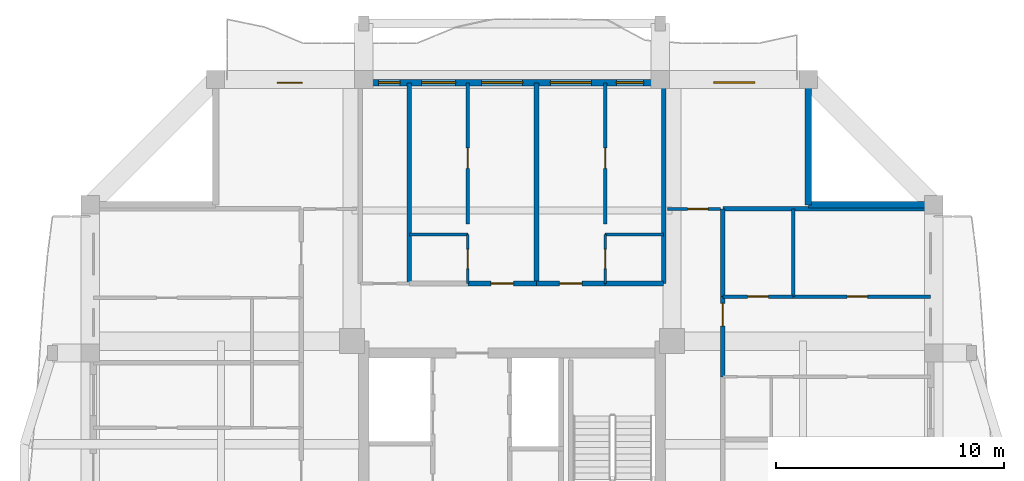
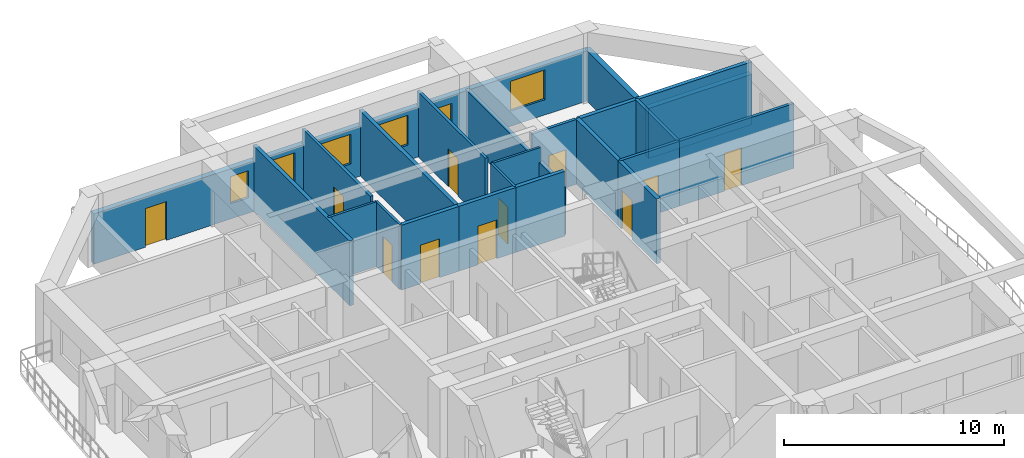
# One storey, part 7 of 14: 22 walls, 11 doors, 6 windows, 17 openings.
"""IFC4 building model written with IfcOpenShell, lengths in metres."""

from ifc_helpers import new_model, si_unit, direction, frame, frame_2d, origin, place, context, subcontext, project, spatial, rectangle, extrude, source, transform, mapped, material, layer, layer_set, type_object, element, fill, save


model = new_model("IFC4")

# Units and contexts
model_context = context("Model", 3, precision=1e-05, world=origin(), true_north=direction((0.0, 1.0)))
body_context = subcontext(model_context, "Body", "Model", "MODEL_VIEW")
ifc_project = project(units=[si_unit("LENGTHUNIT", "METRE"), si_unit("AREAUNIT", "SQUARE_METRE"), si_unit("VOLUMEUNIT", "CUBIC_METRE"), si_unit("PLANEANGLEUNIT", "RADIAN"), si_unit("MASSUNIT", "GRAM", prefix="KILO")], contexts=[model_context])

# Site, building, storey
site_placement = place(None, origin())
site = spatial("IfcSite", under=ifc_project, at=site_placement, CompositionType="ELEMENT")
building_placement = place(site_placement, origin())
building = spatial("IfcBuilding", under=site, at=building_placement, Name="Saelheon Loggia Tower", CompositionType="ELEMENT")
storey_placement = place(building_placement, frame((0.0, 0.0, 202.60009765625)))
storey = spatial("IfcBuildingStorey", under=building, at=storey_placement, Name="L63", CompositionType="ELEMENT", Elevation=202.60009765625)

# Wall, openings, windows, door
ifc_material_1 = material(Name="Architectural Precast Concrete C40/50", Category="concrete")
ifc_layer_1 = layer(ifc_material_1, 0.280029296875)
ifc_layer_set_1 = layer_set([ifc_layer_1], Name="Architectural Precast Concrete C40/50")
wall_type_1 = type_object("IfcWallType", Name="Wall_Ext_Loggia_280", PredefinedType="SOLIDWALL", material=ifc_layer_set_1)
wall_1_placement = place(storey_placement, frame((25.0, 47.860107421875, 0.0), z_axis=(0.0, 0.0, 1.0), x_axis=(1.0, 0.0, 0.0)))
wall_1 = element("IfcWall", 1, at=wall_1_placement, inside=storey, type_object=wall_type_1, Name="L63 North Loggia Inner Wall", PredefinedType="SOLIDWALL", context=body_context, shape_type="SweptSolid", body=[
    extrude(rectangle(XDim=26.0, YDim=0.280029296875, at=frame_2d((13.0, 0.0))), origin(), (0.0, 0.0, 1.0), 2.789794921875),
])
opening_1_placement = place(wall_1_placement, frame((2.699951171875, 0.0, 0.0)))
opening_1 = element("IfcOpeningElement", 2, at=opening_1_placement, cuts=wall_1, Name="Opening TD1", PredefinedType="OPENING", context=body_context, shape_type="SweptSolid", body=[
    extrude(rectangle(XDim=1.10009765625, YDim=2.14990234375, at=frame_2d((0.550048828125, 1.074951171875))), frame((0.0, 0.152099609375, 0.0), z_axis=(0.0, -1.0, 0.0), x_axis=(1.0, 0.0, 0.0)), (0.0, 0.0, 1.0), 0.303955078125),
])
opening_2_placement = place(wall_1_placement, frame((7.14501953125, 0.0, 0.85009765625)))
opening_2 = element("IfcOpeningElement", 3, at=opening_2_placement, cuts=wall_1, Name="Opening WN-04", PredefinedType="OPENING", context=body_context, shape_type="SweptSolid", body=[
    extrude(rectangle(XDim=0.949951171875, YDim=1.5, at=frame_2d((0.47509765625, 0.75))), frame((0.0, 0.152099609375, 0.0), z_axis=(0.0, -1.0, 0.0), x_axis=(1.0, 0.0, 0.0)), (0.0, 0.0, 1.0), 0.303955078125),
])
opening_3_placement = place(wall_1_placement, frame((9.0322265625, 0.0, 0.85009765625)))
opening_3 = element("IfcOpeningElement", 4, at=opening_3_placement, cuts=wall_1, Name="Opening WN-02", PredefinedType="OPENING", context=body_context, shape_type="SweptSolid", body=[
    extrude(rectangle(XDim=1.5, YDim=1.64990234375, at=frame_2d((0.75, 0.824951171875))), frame((0.0, 0.152099609375, 0.0), z_axis=(0.0, -1.0, 0.0), x_axis=(1.0, 0.0, 0.0)), (0.0, 0.0, 1.0), 0.303955078125),
])
opening_4_placement = place(wall_1_placement, frame((11.669921875, 0.0, 0.85009765625)))
opening_4 = element("IfcOpeningElement", 5, at=opening_4_placement, cuts=wall_1, Name="Opening WN-01", PredefinedType="OPENING", context=body_context, shape_type="SweptSolid", body=[
    extrude(rectangle(XDim=1.800048828125, YDim=1.64990234375, at=frame_2d((0.89990234375, 0.824951171875))), frame((0.0, 0.152099609375, 0.0), z_axis=(0.0, -1.0, 0.0), x_axis=(1.0, 0.0, 0.0)), (0.0, 0.0, 1.0), 0.303955078125),
])
opening_5_placement = place(wall_1_placement, frame((14.680419921875, 0.0, 0.85009765625)))
opening_5 = element("IfcOpeningElement", 6, at=opening_5_placement, cuts=wall_1, Name="Opening WN-01", PredefinedType="OPENING", context=body_context, shape_type="SweptSolid", body=[
    extrude(rectangle(XDim=1.800048828125, YDim=1.64990234375, at=frame_2d((0.89990234375, 0.824951171875))), frame((0.0, 0.152099609375, 0.0), z_axis=(0.0, -1.0, 0.0), x_axis=(1.0, 0.0, 0.0)), (0.0, 0.0, 1.0), 0.303955078125),
])
opening_6_placement = place(wall_1_placement, frame((17.57275390625, 0.0, 0.85009765625)))
opening_6 = element("IfcOpeningElement", 7, at=opening_6_placement, cuts=wall_1, Name="Opening WN-03", PredefinedType="OPENING", context=body_context, shape_type="SweptSolid", body=[
    extrude(rectangle(XDim=1.199951171875, YDim=1.5, at=frame_2d((0.60009765625, 0.75))), frame((0.0, 0.152099609375, 0.0), z_axis=(0.0, -1.0, 0.0), x_axis=(1.0, 0.0, 0.0)), (0.0, 0.0, 1.0), 0.303955078125),
])
opening_7_placement = place(wall_1_placement, frame((21.85009765625, 0.0, 0.85009765625)))
opening_7 = element("IfcOpeningElement", 8, at=opening_7_placement, cuts=wall_1, Name="Opening WN-01", PredefinedType="OPENING", context=body_context, shape_type="SweptSolid", body=[
    extrude(rectangle(XDim=1.800048828125, YDim=1.64990234375, at=frame_2d((0.89990234375, 0.824951171875))), frame((0.0, 0.152099609375, 0.0), z_axis=(0.0, -1.0, 0.0), x_axis=(1.0, 0.0, 0.0)), (0.0, 0.0, 1.0), 0.303955078125),
])
ifc_material_2 = material(Name="Thermal-Break Aluminium and Triple Low-E Glass", Category="aluminium")
window_type_1 = type_object("IfcWindowType", Name="Win_Dwelling_1800x1650", PartitioningType="SINGLE_PANEL", PredefinedType="WINDOW", material=ifc_material_2)
shared_shape_1 = source(origin(), body_context, "Body", "SweptSolid", [
    extrude(rectangle(XDim=1.800048828125, YDim=1.64990234375, at=frame_2d((0.89990234375, 0.824951171875))), frame((0.0, 0.030029296875, 0.0), z_axis=(0.0, -1.0, 0.0), x_axis=(1.0, 0.0, 0.0)), (0.0, 0.0, 1.0), 0.06005859375),
])
window_1_placement = place(opening_4_placement, origin())
window_1 = element("IfcWindow", 9, at=window_1_placement, inside=storey, type_object=window_type_1, Name="L63 N Dwelling Window 4", OverallHeight=1.64990234375, OverallWidth=1.800048828125, PartitioningType="SINGLE_PANEL", PredefinedType="WINDOW", context=body_context, shape_type="MappedRepresentation", body=[
    mapped(shared_shape_1, transform((0.0, 0.0, 0.0), scale=1.0)),
])
fill(opening_4, window_1)
window_2_placement = place(opening_5_placement, origin())
window_2 = element("IfcWindow", 10, at=window_2_placement, inside=storey, type_object=window_type_1, Name="L63 N Dwelling Window 5", OverallHeight=1.64990234375, OverallWidth=1.800048828125, PartitioningType="SINGLE_PANEL", PredefinedType="WINDOW", context=body_context, shape_type="MappedRepresentation", body=[
    mapped(shared_shape_1, transform((0.0, 0.0, 0.0), scale=1.0)),
])
fill(opening_5, window_2)
window_3_placement = place(opening_7_placement, origin())
window_3 = element("IfcWindow", 11, at=window_3_placement, inside=storey, type_object=window_type_1, Name="L63 N Dwelling Window 7", OverallHeight=1.64990234375, OverallWidth=1.800048828125, PartitioningType="SINGLE_PANEL", PredefinedType="WINDOW", context=body_context, shape_type="MappedRepresentation", body=[
    mapped(shared_shape_1, transform((0.0, 0.0, 0.0), scale=1.0)),
])
fill(opening_7, window_3)
window_type_2 = type_object("IfcWindowType", Name="Win_Bedroom_1200x1500", PartitioningType="SINGLE_PANEL", PredefinedType="WINDOW", material=ifc_material_2)
shared_shape_2 = source(origin(), body_context, "Body", "SweptSolid", [
    extrude(rectangle(XDim=1.199951171875, YDim=1.5, at=frame_2d((0.60009765625, 0.75))), frame((0.0, 0.030029296875, 0.0), z_axis=(0.0, -1.0, 0.0), x_axis=(1.0, 0.0, 0.0)), (0.0, 0.0, 1.0), 0.06005859375),
])
window_4_placement = place(opening_6_placement, origin())
window_4 = element("IfcWindow", 12, at=window_4_placement, inside=storey, type_object=window_type_2, Name="L63 N Dwelling Window 6", OverallHeight=1.5, OverallWidth=1.199951171875, PartitioningType="SINGLE_PANEL", PredefinedType="WINDOW", context=body_context, shape_type="MappedRepresentation", body=[
    mapped(shared_shape_2, transform((0.0, 0.0, 0.0), scale=1.0)),
])
fill(opening_6, window_4)
ifc_material_3 = material(Name="Thermal-Break Aluminium Glazed Door", Category="aluminium")
door_type_1 = type_object("IfcDoorType", Name="Door_Terrace_TD1", OperationType="NOTDEFINED", PredefinedType="DOOR", material=ifc_material_3)
shared_shape_3 = source(origin(), body_context, "Body", "SweptSolid", [
    extrude(rectangle(XDim=1.10009765625, YDim=2.14990234375, at=frame_2d((0.550048828125, 1.074951171875))), frame((0.0, 0.02490234375, 0.0), z_axis=(0.0, -1.0, 0.0), x_axis=(1.0, 0.0, 0.0)), (0.0, 0.0, 1.0), 0.050048828125),
])
door_1_placement = place(opening_1_placement, origin())
door_1 = element("IfcDoor", 13, at=door_1_placement, inside=storey, type_object=door_type_1, Name="L63 N Loggia Access Door", OperationType="SINGLE_SWING_LEFT", OverallHeight=2.14990234375, OverallWidth=1.10009765625, PredefinedType="DOOR", context=body_context, shape_type="MappedRepresentation", body=[
    mapped(shared_shape_3, transform((0.0, 0.0, 0.0), scale=1.0)),
])
fill(opening_1, door_1)
window_type_3 = type_object("IfcWindowType", Name="Win_Narrow_950x1500", PartitioningType="SINGLE_PANEL", PredefinedType="WINDOW", material=ifc_material_2)
shared_shape_4 = source(origin(), body_context, "Body", "SweptSolid", [
    extrude(rectangle(XDim=0.949951171875, YDim=1.5, at=frame_2d((0.47509765625, 0.75))), frame((0.0, 0.030029296875, 0.0), z_axis=(0.0, -1.0, 0.0), x_axis=(1.0, 0.0, 0.0)), (0.0, 0.0, 1.0), 0.06005859375),
])
window_5_placement = place(opening_2_placement, origin())
window_5 = element("IfcWindow", 14, at=window_5_placement, inside=storey, type_object=window_type_3, Name="L63 N Dwelling Window 2", OverallHeight=1.5, OverallWidth=0.949951171875, PartitioningType="SINGLE_PANEL", PredefinedType="WINDOW", context=body_context, shape_type="MappedRepresentation", body=[
    mapped(shared_shape_4, transform((0.0, 0.0, 0.0), scale=1.0)),
])
fill(opening_2, window_5)
window_type_4 = type_object("IfcWindowType", Name="Win_Dwelling_1500x1650", PartitioningType="SINGLE_PANEL", PredefinedType="WINDOW", material=ifc_material_2)
shared_shape_5 = source(origin(), body_context, "Body", "SweptSolid", [
    extrude(rectangle(XDim=1.5, YDim=1.64990234375, at=frame_2d((0.75, 0.824951171875))), frame((0.0, 0.030029296875, 0.0), z_axis=(0.0, -1.0, 0.0), x_axis=(1.0, 0.0, 0.0)), (0.0, 0.0, 1.0), 0.06005859375),
])
window_6_placement = place(opening_3_placement, origin())
window_6 = element("IfcWindow", 15, at=window_6_placement, inside=storey, type_object=window_type_4, Name="L63 N Dwelling Window 3", OverallHeight=1.64990234375, OverallWidth=1.5, PartitioningType="SINGLE_PANEL", PredefinedType="WINDOW", context=body_context, shape_type="MappedRepresentation", body=[
    mapped(shared_shape_5, transform((0.0, 0.0, 0.0), scale=1.0)),
])
fill(opening_3, window_6)

# Walls
for number, where, z_axis, x_axis, name in (
    (16, (51.0, 42.5, 0.0), (0.0, 0.0, 1.0), (0.0, 1.0, 0.0), "L63 Corner Notch Precast Wall NE1"),
    (17, (51.0, 42.5, 0.0), (0.0, 0.0, 1.0), (1.0, 0.0, 0.0), "L63 Corner Notch Precast Wall NE2"),
):
    element("IfcWall", number, at=place(storey_placement, frame(where, z_axis=z_axis, x_axis=x_axis)), inside=storey, type_object=wall_type_1, Name=name, PredefinedType="SOLIDWALL", context=body_context, shape_type="SweptSolid", body=[
        extrude(rectangle(XDim=5.419921875, YDim=0.280029296875, at=frame_2d((2.7099609375, 0.0))), origin(), (0.0, 0.0, 1.0), 2.789794921875),
    ])

# Wall, opening, door
ifc_material_4 = material(Name="Lightweight Autoclaved Aerated Concrete Block and Acoustic Gypsum", Category="concrete")
ifc_layer_2 = layer(ifc_material_4, 0.14990234375)
ifc_layer_set_2 = layer_set([ifc_layer_2], Name="Lightweight Autoclaved Aerated Concrete Block and Acoustic Gypsum")
wall_type_2 = type_object("IfcWallType", Name="Wall_Part_150", PredefinedType="PARTITIONING", material=ifc_layer_set_2)
wall_2_placement = place(storey_placement, frame((44.820068359375, 42.320068359375, 0.0), z_axis=(0.0, 0.0, 1.0), x_axis=(1.0, 0.0, 0.0)))
wall_2 = element("IfcWall", 18, at=wall_2_placement, inside=storey, type_object=wall_type_2, Name="PW-L63-CNE-H", PredefinedType="PARTITIONING", context=body_context, shape_type="SweptSolid", body=[
    extrude(rectangle(XDim=2.329833984375, YDim=0.14990234375, at=frame_2d((1.1650390625, 0.0))), origin(), (0.0, 0.0, 1.0), 3.599853515625),
])
opening_8_placement = place(wall_2_placement, frame((0.8798828125, 0.0, 0.0)))
opening_8 = element("IfcOpeningElement", 19, at=opening_8_placement, cuts=wall_2, Name="Opening D-IN2", PredefinedType="OPENING", context=body_context, shape_type="SweptSolid", body=[
    extrude(rectangle(XDim=0.89990234375, YDim=2.10009765625, at=frame_2d((0.449951171875, 1.050048828125))), frame((0.0, 0.0869140625, 0.0), z_axis=(0.0, -1.0, 0.0), x_axis=(1.0, 0.0, 0.0)), (0.0, 0.0, 1.0), 0.173828125),
])
ifc_material_5 = material(Name="Engineered Oak Flush Door", Category="timber")
door_type_2 = type_object("IfcDoorType", Name="Door_Int_900", OperationType="NOTDEFINED", PredefinedType="DOOR", material=ifc_material_5)
shared_shape_6 = source(origin(), body_context, "Body", "SweptSolid", [
    extrude(rectangle(XDim=0.89990234375, YDim=2.10009765625, at=frame_2d((0.449951171875, 1.050048828125))), frame((0.0, 0.02490234375, 0.0), z_axis=(0.0, -1.0, 0.0), x_axis=(1.0, 0.0, 0.0)), (0.0, 0.0, 1.0), 0.050048828125),
])
door_2_placement = place(opening_8_placement, origin())
door_2 = element("IfcDoor", 20, at=door_2_placement, inside=storey, type_object=door_type_2, Name="L63 Corner Reading Room NE Door", OperationType="SINGLE_SWING_LEFT", OverallHeight=2.10009765625, OverallWidth=0.89990234375, PredefinedType="DOOR", context=body_context, shape_type="MappedRepresentation", body=[
    mapped(shared_shape_6, transform((0.0, 0.0, 0.0), scale=1.0)),
])
fill(opening_8, door_2)

wall_3_placement = place(storey_placement, frame((36.064453125, 41.64990234375, 0.0), z_axis=(0.0, 0.0, 1.0), x_axis=(0.0, 1.0, 0.0)))
wall_3 = element("IfcWall", 21, at=wall_3_placement, inside=storey, type_object=wall_type_2, Name="L63 N Partition U09", PredefinedType="PARTITIONING", context=body_context, shape_type="SweptSolid", body=[
    extrude(rectangle(XDim=6.2001953125, YDim=0.14990234375, at=frame_2d((3.10009765625, 0.0))), origin(), (0.0, 0.0, 1.0), 3.599853515625),
])
opening_9_placement = place(wall_3_placement, frame((2.44921875, 0.0, 0.0)))
opening_9 = element("IfcOpeningElement", 22, at=opening_9_placement, cuts=wall_3, Name="Opening D-IN2", PredefinedType="OPENING", context=body_context, shape_type="SweptSolid", body=[
    extrude(rectangle(XDim=0.89990234375, YDim=2.10009765625, at=frame_2d((0.449951171875, 1.050048828125))), frame((0.0, 0.0869140625, 0.0), z_axis=(0.0, -1.0, 0.0), x_axis=(1.0, 0.0, 0.0)), (0.0, 0.0, 1.0), 0.173828125),
])
door_3_placement = place(opening_9_placement, origin())
door_3 = element("IfcDoor", 23, at=door_3_placement, inside=storey, type_object=door_type_2, Name="Unit U03 Kitchen Door", OperationType="SINGLE_SWING_LEFT", OverallHeight=2.10009765625, OverallWidth=0.89990234375, PredefinedType="DOOR", context=body_context, shape_type="MappedRepresentation", body=[
    mapped(shared_shape_6, transform((0.0, 0.0, 0.0), scale=1.0)),
])
fill(opening_9, door_3)

wall_4_placement = place(storey_placement, frame((42.08544921875, 41.64990234375, 0.0), z_axis=(0.0, 0.0, 1.0), x_axis=(0.0, 1.0, 0.0)))
wall_4 = element("IfcWall", 24, at=wall_4_placement, inside=storey, type_object=wall_type_2, Name="L63 N Partition U15", PredefinedType="PARTITIONING", context=body_context, shape_type="SweptSolid", body=[
    extrude(rectangle(XDim=6.2001953125, YDim=0.14990234375, at=frame_2d((3.10009765625, 0.0))), origin(), (0.0, 0.0, 1.0), 3.599853515625),
])
opening_10_placement = place(wall_4_placement, frame((2.44921875, 0.0, 0.0)))
opening_10 = element("IfcOpeningElement", 25, at=opening_10_placement, cuts=wall_4, Name="Opening D-IN2", PredefinedType="OPENING", context=body_context, shape_type="SweptSolid", body=[
    extrude(rectangle(XDim=0.89990234375, YDim=2.10009765625, at=frame_2d((0.449951171875, 1.050048828125))), frame((0.0, 0.0869140625, 0.0), z_axis=(0.0, -1.0, 0.0), x_axis=(1.0, 0.0, 0.0)), (0.0, 0.0, 1.0), 0.173828125),
])
door_4_placement = place(opening_10_placement, origin())
door_4 = element("IfcDoor", 26, at=door_4_placement, inside=storey, type_object=door_type_2, Name="Unit U04 Kitchen Door", OperationType="SINGLE_SWING_RIGHT", OverallHeight=2.10009765625, OverallWidth=0.89990234375, PredefinedType="DOOR", context=body_context, shape_type="MappedRepresentation", body=[
    mapped(shared_shape_6, transform((0.0, 0.0, 0.0), scale=1.0)),
])
fill(opening_10, door_4)

# Wall
wall_5_placement = place(storey_placement, frame((50.330078125, 38.477783203125, 0.0), z_axis=(0.0, 0.0, 1.0), x_axis=(0.0, 1.0, 0.0)))
element("IfcWall", 27, at=wall_5_placement, inside=storey, type_object=wall_type_2, Name="L63 E Partition V29", PredefinedType="PARTITIONING", context=body_context, shape_type="SweptSolid", body=[
    extrude(rectangle(XDim=3.84228515625, YDim=0.14990234375, at=frame_2d((1.921142578125, 0.0))), origin(), (0.0, 0.0, 1.0), 3.599853515625),
])

# Wall, opening, door
wall_6_placement = place(storey_placement, frame((47.25, 38.477783203125, 0.0), z_axis=(0.0, 0.0, 1.0), x_axis=(1.0, 0.0, 0.0)))
wall_6 = element("IfcWall", 28, at=wall_6_placement, inside=storey, type_object=wall_type_2, Name="L63 E Partition U33", PredefinedType="PARTITIONING", context=body_context, shape_type="SweptSolid", body=[
    extrude(rectangle(XDim=3.080078125, YDim=0.14990234375, at=frame_2d((1.5400390625, 0.0))), origin(), (0.0, 0.0, 1.0), 3.599853515625),
])
opening_11_placement = place(wall_6_placement, frame((1.090087890625, 0.0, 0.0)))
opening_11 = element("IfcOpeningElement", 29, at=opening_11_placement, cuts=wall_6, Name="Opening D-IN2", PredefinedType="OPENING", context=body_context, shape_type="SweptSolid", body=[
    extrude(rectangle(XDim=0.89990234375, YDim=2.10009765625, at=frame_2d((0.449951171875, 1.050048828125))), frame((0.0, 0.0869140625, 0.0), z_axis=(0.0, -1.0, 0.0), x_axis=(1.0, 0.0, 0.0)), (0.0, 0.0, 1.0), 0.173828125),
])
door_5_placement = place(opening_11_placement, origin())
door_5 = element("IfcDoor", 30, at=door_5_placement, inside=storey, type_object=door_type_2, Name="Unit U11 Home Office Door", OperationType="SINGLE_SWING_RIGHT", OverallHeight=2.10009765625, OverallWidth=0.89990234375, PredefinedType="DOOR", context=body_context, shape_type="MappedRepresentation", body=[
    mapped(shared_shape_6, transform((0.0, 0.0, 0.0), scale=1.0)),
])
fill(opening_11, door_5)

wall_7_placement = place(storey_placement, frame((50.330078125, 38.477783203125, 0.0), z_axis=(0.0, 0.0, 1.0), x_axis=(1.0, 0.0, 0.0)))
wall_7 = element("IfcWall", 31, at=wall_7_placement, inside=storey, type_object=wall_type_2, Name="L63 E Partition U34", PredefinedType="PARTITIONING", context=body_context, shape_type="SweptSolid", body=[
    extrude(rectangle(XDim=6.02001953125, YDim=0.14990234375, at=frame_2d((3.010009765625, 0.0))), origin(), (0.0, 0.0, 1.0), 3.599853515625),
])
opening_12_placement = place(wall_7_placement, frame((2.36669921875, 0.0, 0.0)))
opening_12 = element("IfcOpeningElement", 32, at=opening_12_placement, cuts=wall_7, Name="Opening D-IN2", PredefinedType="OPENING", context=body_context, shape_type="SweptSolid", body=[
    extrude(rectangle(XDim=0.89990234375, YDim=2.10009765625, at=frame_2d((0.449951171875, 1.050048828125))), frame((0.0, 0.0869140625, 0.0), z_axis=(0.0, -1.0, 0.0), x_axis=(1.0, 0.0, 0.0)), (0.0, 0.0, 1.0), 0.173828125),
])
door_6_placement = place(opening_12_placement, origin())
door_6 = element("IfcDoor", 33, at=door_6_placement, inside=storey, type_object=door_type_2, Name="Unit U11 Bedroom 1 Door", OperationType="SINGLE_SWING_LEFT", OverallHeight=2.10009765625, OverallWidth=0.89990234375, PredefinedType="DOOR", context=body_context, shape_type="MappedRepresentation", body=[
    mapped(shared_shape_6, transform((0.0, 0.0, 0.0), scale=1.0)),
])
fill(opening_12, door_6)

# Walls
ifc_material_6 = material(Name="Double Acoustic Stud and Fireboard Partition", Category="gypsum")
ifc_layer_3 = layer(ifc_material_6, 0.199951171875)
ifc_layer_set_3 = layer_set([ifc_layer_3], Name="Double Acoustic Stud and Fireboard Partition")
wall_type_3 = type_object("IfcWallType", Name="Wall_Party_200", PredefinedType="PARTITIONING", material=ifc_layer_set_3)
wall_8_placement = place(storey_placement, frame((44.64990234375, 39.050048828125, 0.0), z_axis=(0.0, 0.0, 1.0), x_axis=(0.0, 1.0, 0.0)))
element("IfcWall", 34, at=wall_8_placement, inside=storey, type_object=wall_type_3, Name="L63 N Partition U02", PredefinedType="PARTITIONING", context=body_context, shape_type="SweptSolid", body=[
    extrude(rectangle(XDim=8.800048828125, YDim=0.199951171875, at=frame_2d((4.39990234375, 0.0))), origin(), (0.0, 0.0, 1.0), 2.789794921875),
])
wall_9_placement = place(storey_placement, frame((33.5, 39.050048828125, 0.0), z_axis=(0.0, 0.0, 1.0), x_axis=(0.0, 1.0, 0.0)))
element("IfcWall", 35, at=wall_9_placement, inside=storey, type_object=wall_type_3, Name="L63 N Partition U03", PredefinedType="PARTITIONING", context=body_context, shape_type="SweptSolid", body=[
    extrude(rectangle(XDim=8.800048828125, YDim=0.199951171875, at=frame_2d((4.39990234375, 0.0))), origin(), (0.0, 0.0, 1.0), 3.599853515625),
])

# Wall, opening, door
wall_10_placement = place(storey_placement, frame((36.064453125, 39.050048828125, 0.0), z_axis=(0.0, 0.0, 1.0), x_axis=(1.0, 0.0, 0.0)))
wall_10 = element("IfcWall", 36, at=wall_10_placement, inside=storey, type_object=wall_type_3, Name="L63 N Partition V06", PredefinedType="PARTITIONING", context=body_context, shape_type="SweptSolid", body=[
    extrude(rectangle(XDim=3.010498046875, YDim=0.199951171875, at=frame_2d((1.50537109375, 0.0))), origin(), (0.0, 0.0, 1.0), 3.599853515625),
])
opening_13_placement = place(wall_10_placement, frame((1.00537109375, 0.0, 0.0)))
opening_13 = element("IfcOpeningElement", 37, at=opening_13_placement, cuts=wall_10, Name="Opening D-FD1", PredefinedType="OPENING", context=body_context, shape_type="SweptSolid", body=[
    extrude(rectangle(XDim=1.0, YDim=2.14990234375, at=frame_2d((0.5, 1.074951171875))), frame((0.0, 0.112060546875, 0.0), z_axis=(0.0, -1.0, 0.0), x_axis=(1.0, 0.0, 0.0)), (0.0, 0.0, 1.0), 0.223876953125),
])
ifc_material_7 = material(Name="Fire-Rated Engineered Timber Entrance Door", Category="wood")
door_type_3 = type_object("IfcDoorType", Name="Door_Flat_FD30S", OperationType="NOTDEFINED", PredefinedType="DOOR", material=ifc_material_7)
shared_shape_7 = source(origin(), body_context, "Body", "SweptSolid", [
    extrude(rectangle(XDim=1.0, YDim=2.14990234375, at=frame_2d((0.5, 1.074951171875))), frame((0.0, 0.02490234375, 0.0), z_axis=(0.0, -1.0, 0.0), x_axis=(1.0, 0.0, 0.0)), (0.0, 0.0, 1.0), 0.050048828125),
])
door_7_placement = place(opening_13_placement, origin())
door_7 = element("IfcDoor", 38, at=door_7_placement, inside=storey, type_object=door_type_3, Name="Unit U03 Entrance Door", OperationType="SINGLE_SWING_LEFT", OverallHeight=2.14990234375, OverallWidth=1.0, PredefinedType="DOOR", context=body_context, shape_type="MappedRepresentation", body=[
    mapped(shared_shape_7, transform((0.0, 0.0, 0.0), scale=1.0)),
])
fill(opening_13, door_7)

# Wall
wall_11_placement = place(storey_placement, frame((39.074951171875, 39.050048828125, 0.0), z_axis=(0.0, 0.0, 1.0), x_axis=(0.0, 1.0, 0.0)))
element("IfcWall", 39, at=wall_11_placement, inside=storey, type_object=wall_type_3, Name="L63 N Partition U10", PredefinedType="PARTITIONING", context=body_context, shape_type="SweptSolid", body=[
    extrude(rectangle(XDim=8.800048828125, YDim=0.199951171875, at=frame_2d((4.39990234375, 0.0))), origin(), (0.0, 0.0, 1.0), 3.599853515625),
])

# Wall, opening, door
wall_12_placement = place(storey_placement, frame((39.074951171875, 39.050048828125, 0.0), z_axis=(0.0, 0.0, 1.0), x_axis=(1.0, 0.0, 0.0)))
wall_12 = element("IfcWall", 40, at=wall_12_placement, inside=storey, type_object=wall_type_3, Name="L63 N Partition V11", PredefinedType="PARTITIONING", context=body_context, shape_type="SweptSolid", body=[
    extrude(rectangle(XDim=3.010498046875, YDim=0.199951171875, at=frame_2d((1.50537109375, 0.0))), origin(), (0.0, 0.0, 1.0), 3.599853515625),
])
opening_14_placement = place(wall_12_placement, frame((1.00537109375, 0.0, 0.0)))
opening_14 = element("IfcOpeningElement", 41, at=opening_14_placement, cuts=wall_12, Name="Opening D-FD1", PredefinedType="OPENING", context=body_context, shape_type="SweptSolid", body=[
    extrude(rectangle(XDim=1.0, YDim=2.14990234375, at=frame_2d((0.5, 1.074951171875))), frame((0.0, 0.112060546875, 0.0), z_axis=(0.0, -1.0, 0.0), x_axis=(1.0, 0.0, 0.0)), (0.0, 0.0, 1.0), 0.223876953125),
])
door_8_placement = place(opening_14_placement, origin())
door_8 = element("IfcDoor", 42, at=door_8_placement, inside=storey, type_object=door_type_3, Name="Unit U04 Entrance Door", OperationType="SINGLE_SWING_RIGHT", OverallHeight=2.14990234375, OverallWidth=1.0, PredefinedType="DOOR", context=body_context, shape_type="MappedRepresentation", body=[
    mapped(shared_shape_7, transform((0.0, 0.0, 0.0), scale=1.0)),
])
fill(opening_14, door_8)

# Walls
wall_13_placement = place(storey_placement, frame((42.08544921875, 39.050048828125, 0.0), z_axis=(0.0, 0.0, 1.0), x_axis=(1.0, 0.0, 0.0)))
element("IfcWall", 43, at=wall_13_placement, inside=storey, type_object=wall_type_3, Name="L63 N Partition V12", PredefinedType="PARTITIONING", context=body_context, shape_type="SweptSolid", body=[
    extrude(rectangle(XDim=2.564453125, YDim=0.199951171875, at=frame_2d((1.2822265625, 0.0))), origin(), (0.0, 0.0, 1.0), 3.599853515625),
])
wall_14_placement = place(storey_placement, frame((47.25, 42.320068359375, 0.0), z_axis=(0.0, 0.0, 1.0), x_axis=(1.0, 0.0, 0.0)))
element("IfcWall", 44, at=wall_14_placement, inside=storey, type_object=wall_type_3, Name="L63 E Partition U02", PredefinedType="PARTITIONING", context=body_context, shape_type="SweptSolid", body=[
    extrude(rectangle(XDim=9.10009765625, YDim=0.199951171875, at=frame_2d((4.550048828125, 0.0))), origin(), (0.0, 0.0, 1.0), 3.599853515625),
])

# Wall, opening, door
wall_15_placement = place(storey_placement, frame((47.25, 34.958740234375, 0.0), z_axis=(0.0, 0.0, 1.0), x_axis=(0.0, 1.0, 0.0)))
wall_15 = element("IfcWall", 45, at=wall_15_placement, inside=storey, type_object=wall_type_3, Name="L63 E Partition V26", PredefinedType="PARTITIONING", context=body_context, shape_type="SweptSolid", body=[
    extrude(rectangle(XDim=3.51904296875, YDim=0.199951171875, at=frame_2d((1.759521484375, 0.0))), origin(), (0.0, 0.0, 1.0), 3.599853515625),
])
opening_15_placement = place(wall_15_placement, frame((2.21728515625, 0.0, 0.0)))
opening_15 = element("IfcOpeningElement", 46, at=opening_15_placement, cuts=wall_15, Name="Opening D-FD1", PredefinedType="OPENING", context=body_context, shape_type="SweptSolid", body=[
    extrude(rectangle(XDim=1.0, YDim=2.14990234375, at=frame_2d((0.5, 1.074951171875))), frame((0.0, 0.112060546875, 0.0), z_axis=(0.0, -1.0, 0.0), x_axis=(1.0, 0.0, 0.0)), (0.0, 0.0, 1.0), 0.223876953125),
])
door_9_placement = place(opening_15_placement, origin())
door_9 = element("IfcDoor", 47, at=door_9_placement, inside=storey, type_object=door_type_3, Name="Unit U11 Entrance Door", OperationType="SINGLE_SWING_LEFT", OverallHeight=2.14990234375, OverallWidth=1.0, PredefinedType="DOOR", context=body_context, shape_type="MappedRepresentation", body=[
    mapped(shared_shape_7, transform((0.0, 0.0, 0.0), scale=1.0)),
])
fill(opening_15, door_9)

# Wall
wall_16_placement = place(storey_placement, frame((47.25, 38.477783203125, 0.0), z_axis=(0.0, 0.0, 1.0), x_axis=(0.0, 1.0, 0.0)))
element("IfcWall", 48, at=wall_16_placement, inside=storey, type_object=wall_type_3, Name="L63 E Partition V27", PredefinedType="PARTITIONING", context=body_context, shape_type="SweptSolid", body=[
    extrude(rectangle(XDim=3.84228515625, YDim=0.199951171875, at=frame_2d((1.921142578125, 0.0))), origin(), (0.0, 0.0, 1.0), 3.599853515625),
])

# Wall, opening, door
ifc_material_8 = material(Name="Moisture-Resistant Cement Board Partition", Category="gypsum")
ifc_layer_4 = layer(ifc_material_8, 0.1201171875)
ifc_layer_set_4 = layer_set([ifc_layer_4], Name="Moisture-Resistant Cement Board Partition")
wall_type_4 = type_object("IfcWallType", Name="Wall_WetPart_120", PredefinedType="PARTITIONING", material=ifc_layer_set_4)
wall_17_placement = place(storey_placement, frame((36.064453125, 39.050048828125, 0.0), z_axis=(0.0, 0.0, 1.0), x_axis=(0.0, 1.0, 0.0)))
wall_17 = element("IfcWall", 49, at=wall_17_placement, inside=storey, type_object=wall_type_4, Name="L63 N Partition U07", PredefinedType="PARTITIONING", context=body_context, shape_type="SweptSolid", body=[
    extrude(rectangle(XDim=2.14990234375, YDim=0.1201171875, at=frame_2d((1.074951171875, 0.0))), origin(), (0.0, 0.0, 1.0), 3.599853515625),
])
opening_16_placement = place(wall_17_placement, frame((0.64990234375, 0.0, 0.0)))
opening_16 = element("IfcOpeningElement", 50, at=opening_16_placement, cuts=wall_17, Name="Opening D-BT1", PredefinedType="OPENING", context=body_context, shape_type="SweptSolid", body=[
    extrude(rectangle(XDim=0.85009765625, YDim=2.050048828125, at=frame_2d((0.425048828125, 1.02490234375))), frame((0.0, 0.072021484375, 0.0), z_axis=(0.0, -1.0, 0.0), x_axis=(1.0, 0.0, 0.0)), (0.0, 0.0, 1.0), 0.14404296875),
])
ifc_material_9 = material(Name="Moisture-Resistant Laminate Timber Door", Category="wood")
door_type_4 = type_object("IfcDoorType", Name="Door_Bath_850", OperationType="NOTDEFINED", PredefinedType="DOOR", material=ifc_material_9)
shared_shape_8 = source(origin(), body_context, "Body", "SweptSolid", [
    extrude(rectangle(XDim=0.85009765625, YDim=2.050048828125, at=frame_2d((0.425048828125, 1.02490234375))), frame((0.0, 0.02490234375, 0.0), z_axis=(0.0, -1.0, 0.0), x_axis=(1.0, 0.0, 0.0)), (0.0, 0.0, 1.0), 0.050048828125),
])
door_10_placement = place(opening_16_placement, origin())
door_10 = element("IfcDoor", 51, at=door_10_placement, inside=storey, type_object=door_type_4, Name="Unit U03 Bathroom Door", OperationType="SINGLE_SWING_RIGHT", OverallHeight=2.050048828125, OverallWidth=0.85009765625, PredefinedType="DOOR", context=body_context, shape_type="MappedRepresentation", body=[
    mapped(shared_shape_8, transform((0.0, 0.0, 0.0), scale=1.0)),
])
fill(opening_16, door_10)

# Wall
wall_18_placement = place(storey_placement, frame((33.5, 41.199951171875, 0.0), z_axis=(0.0, 0.0, 1.0), x_axis=(1.0, 0.0, 0.0)))
element("IfcWall", 52, at=wall_18_placement, inside=storey, type_object=wall_type_4, Name="L63 N Partition V08", PredefinedType="PARTITIONING", context=body_context, shape_type="SweptSolid", body=[
    extrude(rectangle(XDim=2.564453125, YDim=0.1201171875, at=frame_2d((1.2822265625, 0.0))), origin(), (0.0, 0.0, 1.0), 3.599853515625),
])

# Wall, opening, door
wall_19_placement = place(storey_placement, frame((42.08544921875, 39.050048828125, 0.0), z_axis=(0.0, 0.0, 1.0), x_axis=(0.0, 1.0, 0.0)))
wall_19 = element("IfcWall", 53, at=wall_19_placement, inside=storey, type_object=wall_type_4, Name="L63 N Partition U13", PredefinedType="PARTITIONING", context=body_context, shape_type="SweptSolid", body=[
    extrude(rectangle(XDim=2.14990234375, YDim=0.1201171875, at=frame_2d((1.074951171875, 0.0))), origin(), (0.0, 0.0, 1.0), 3.599853515625),
])
opening_17_placement = place(wall_19_placement, frame((0.64990234375, 0.0, 0.0)))
opening_17 = element("IfcOpeningElement", 54, at=opening_17_placement, cuts=wall_19, Name="Opening D-BT1", PredefinedType="OPENING", context=body_context, shape_type="SweptSolid", body=[
    extrude(rectangle(XDim=0.85009765625, YDim=2.050048828125, at=frame_2d((0.425048828125, 1.02490234375))), frame((0.0, 0.072021484375, 0.0), z_axis=(0.0, -1.0, 0.0), x_axis=(1.0, 0.0, 0.0)), (0.0, 0.0, 1.0), 0.14404296875),
])
door_11_placement = place(opening_17_placement, origin())
door_11 = element("IfcDoor", 55, at=door_11_placement, inside=storey, type_object=door_type_4, Name="Unit U04 Bathroom Door", OperationType="SINGLE_SWING_LEFT", OverallHeight=2.050048828125, OverallWidth=0.85009765625, PredefinedType="DOOR", context=body_context, shape_type="MappedRepresentation", body=[
    mapped(shared_shape_8, transform((0.0, 0.0, 0.0), scale=1.0)),
])
fill(opening_17, door_11)

# Wall
wall_20_placement = place(storey_placement, frame((42.08544921875, 41.199951171875, 0.0), z_axis=(0.0, 0.0, 1.0), x_axis=(1.0, 0.0, 0.0)))
element("IfcWall", 56, at=wall_20_placement, inside=storey, type_object=wall_type_4, Name="L63 N Partition V14", PredefinedType="PARTITIONING", context=body_context, shape_type="SweptSolid", body=[
    extrude(rectangle(XDim=2.564453125, YDim=0.1201171875, at=frame_2d((1.2822265625, 0.0))), origin(), (0.0, 0.0, 1.0), 3.599853515625),
])

save(model, "model.ifc")
